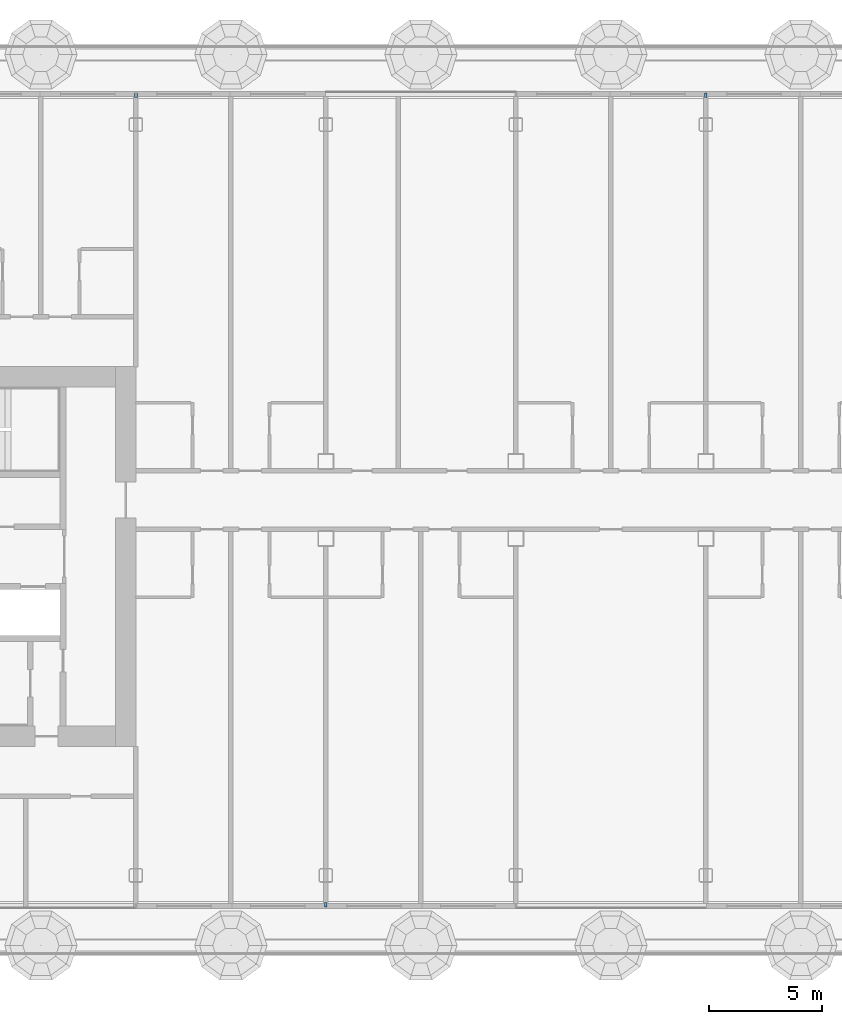
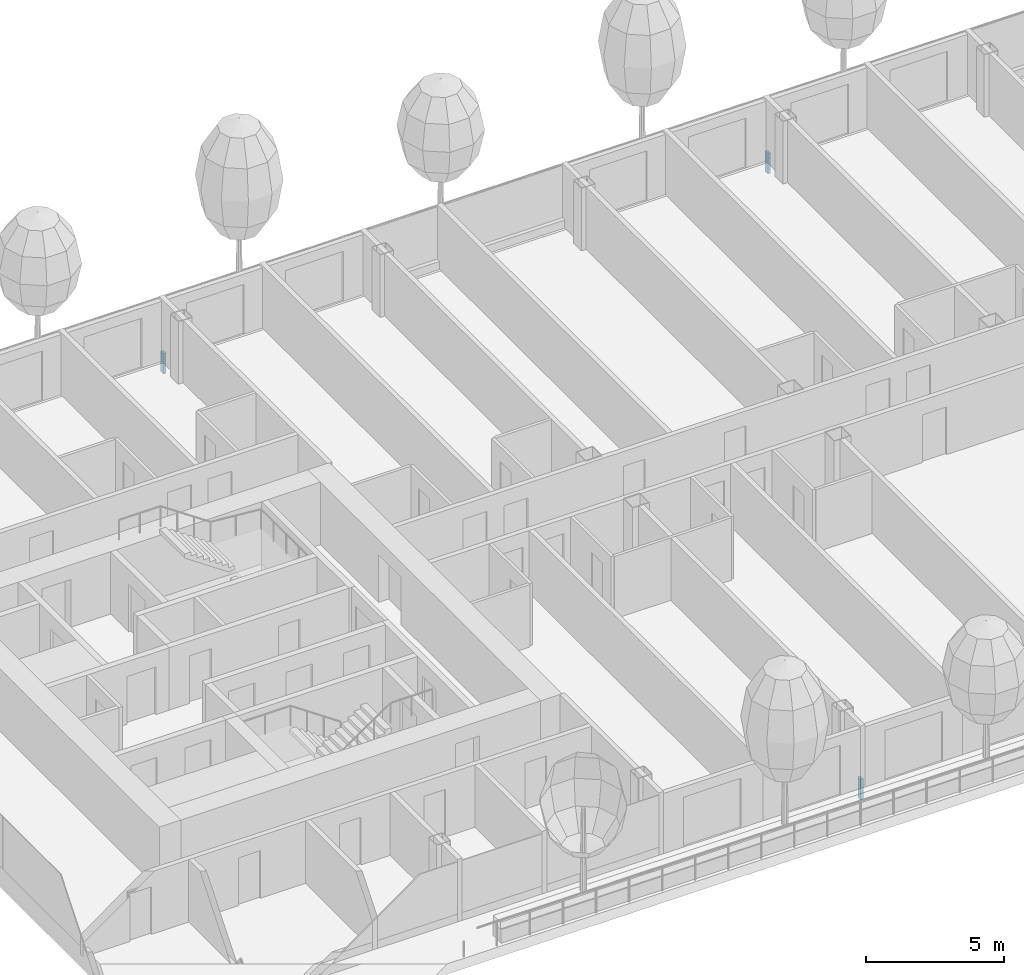
# One storey, part 9 of 29: 3 members, 2 elements without a shape of their own.
"""IFC4 building model written with IfcOpenShell, lengths in metres."""

import ifcopenshell
import ifcopenshell.guid

model = None  # the IFC model being written
_history = None  # IfcOwnerHistory: only IFC2X3 demands one
_inside = {}  # id of a spatial element -> (the spatial element, [elements in it])
_under = {}  # id of a project, library or spatial element -> (it, [spatial elements below it])
_declared = {}  # id of a project -> (the project, [libraries it declares])
_typed = {}  # id of a type object -> (the type object, [elements of that type])
_made_of = {}  # id of a material, layer set ... -> (it, [elements and type objects made of it])


def new_model(schema):
    """Start an empty IFC model of exactly this schema.

    Asked for "IFC4X3", IfcOpenShell would pick the latest addendum, in which some entities
    have other attributes; the version numbers below select the first issue.
    IFC2X3 requires an IfcOwnerHistory on every rooted entity: one is made here for all.
    """
    global model, _history
    if schema == "IFC4X3":
        model = ifcopenshell.file(schema_version=(4, 3, 0, 0))
    else:
        model = ifcopenshell.file(schema=schema)
    _inside.clear()
    _under.clear()
    _declared.clear()
    _typed.clear()
    _made_of.clear()
    _history = None
    if model.schema == "IFC2X3":
        org = make("IfcOrganization", Name="unknown")
        user = make(
            "IfcPersonAndOrganization",
            ThePerson=make("IfcPerson", FamilyName="unknown"),
            TheOrganization=org,
        )
        app = make(
            "IfcApplication",
            ApplicationDeveloper=org,
            Version="unknown",
            ApplicationFullName="unknown",
            ApplicationIdentifier="unknown",
        )
        _history = make(
            "IfcOwnerHistory",
            OwningUser=user,
            OwningApplication=app,
            ChangeAction="ADDED",
            CreationDate=0,
        )
    return model


def make(cls, **values):
    """One entity of the class cls with the attributes given. An attribute that is None is left unset."""
    return model.create_entity(
        cls, **{name: value for name, value in values.items() if value is not None}
    )


def rooted(cls, **values):
    """An entity with a GlobalId (a new one), such as an element, a storey or a relation."""
    return make(cls, GlobalId=ifcopenshell.guid.new(), OwnerHistory=_history, **values)


def si_unit(unit_type, name, prefix=None):
    """IfcSIUnit, for example si_unit("LENGTHUNIT", "METRE", prefix="MILLI")."""
    return make("IfcSIUnit", UnitType=unit_type, Prefix=prefix, Name=name)


def assignment(units):
    """IfcUnitAssignment: the units of a project."""
    return None if units is None else make("IfcUnitAssignment", Units=units)


def point(xyz):
    """IfcCartesianPoint."""
    return None if xyz is None else make("IfcCartesianPoint", Coordinates=xyz)


def direction(xyz):
    """IfcDirection."""
    return None if xyz is None else make("IfcDirection", DirectionRatios=xyz)


def frame(location, z_axis=None, x_axis=None):
    """IfcAxis2Placement3D, a coordinate frame: its origin and axes. An axis left out is left unset."""
    return make(
        "IfcAxis2Placement3D",
        Location=point(location),
        Axis=direction(z_axis),
        RefDirection=direction(x_axis),
    )


def frame_2d(location, x_axis=None):
    """IfcAxis2Placement2D, a coordinate frame in the plane: its origin and x axis."""
    return make(
        "IfcAxis2Placement2D", Location=point(location), RefDirection=direction(x_axis)
    )


def origin():
    """The frame at (0, 0, 0) with its axes left unset."""
    return frame((0.0, 0.0, 0.0))


def origin_2d():
    """The frame at (0, 0) in the plane with its x axis left unset."""
    return frame_2d((0.0, 0.0))


def place(relative_to, where):
    """IfcLocalPlacement: puts the frame where relative to a parent placement (None: the world)."""
    return make(
        "IfcLocalPlacement", PlacementRelTo=relative_to, RelativePlacement=where
    )


def context(
    kind, dimensions, precision=None, world=None, true_north=None, identifier=None
):
    """IfcGeometricRepresentationContext, for example the 3D "Model" context."""
    return make(
        "IfcGeometricRepresentationContext",
        ContextIdentifier=identifier,
        ContextType=kind,
        CoordinateSpaceDimension=dimensions,
        Precision=precision,
        WorldCoordinateSystem=world,
        TrueNorth=true_north,
    )


def subcontext(parent, identifier, kind, view, scale=None):
    """IfcGeometricRepresentationSubContext, for example "Body" below "Model"."""
    return make(
        "IfcGeometricRepresentationSubContext",
        ContextIdentifier=identifier,
        ContextType=kind,
        ParentContext=parent,
        TargetScale=scale,
        TargetView=view,
    )


def project(units=None, contexts=None):
    """IfcProject with its units and contexts."""
    return rooted(
        "IfcProject",
        Name="project",
        RepresentationContexts=contexts,
        UnitsInContext=assignment(units),
    )


def spatial(cls, under=None, at=None, **own):
    """A site, building, storey or space (cls), placed at a placement, below another one or the project."""
    s = rooted(cls, ObjectPlacement=at, **own)
    if under is not None:
        _under.setdefault(under.id(), (under, []))[1].append(s)
    return s


def profile(cls, at=None, kind="AREA", **sizes):
    """A parametric profile (cls). Its sizes go by their IFC names, for example OverallWidth=200.0."""
    return make(cls, ProfileType=kind, Position=at, **sizes)


def rectangle(**sizes):
    """IfcRectangleProfileDef."""
    return profile("IfcRectangleProfileDef", **sizes)


def extrude(swept, where, along, depth):
    """IfcExtrudedAreaSolid: the profile swept, set in the frame where, extruded along a direction by depth."""
    return make(
        "IfcExtrudedAreaSolid",
        SweptArea=swept,
        Position=where,
        ExtrudedDirection=direction(along),
        Depth=depth,
    )


def shape(context_of_items, identifier, shape_type, items):
    """IfcShapeRepresentation: the items that make up one representation, for example the "Body"."""
    return make(
        "IfcShapeRepresentation",
        ContextOfItems=context_of_items,
        RepresentationIdentifier=identifier,
        RepresentationType=shape_type,
        Items=items,
    )


def material(Name=None, Category=None):
    """IfcMaterial."""
    return make("IfcMaterial", Name=Name, Category=Category)


def layer(
    of_material, thickness, ventilated=None, Name=None, Category=None, Priority=None
):
    """IfcMaterialLayer: one layer of a wall or slab, of a material (None: an air gap)."""
    return make(
        "IfcMaterialLayer",
        Material=of_material,
        LayerThickness=thickness,
        IsVentilated=ventilated,
        Name=Name,
        Category=Category,
        Priority=Priority,
    )


def layer_set(layers, Name=None):
    """IfcMaterialLayerSet."""
    return make("IfcMaterialLayerSet", MaterialLayers=layers, LayerSetName=Name)


def material_profile(
    of_material, cross_section, Name=None, Category=None, Priority=None
):
    """IfcMaterialProfile: a cross section and its material."""
    return make(
        "IfcMaterialProfile",
        Name=Name,
        Material=of_material,
        Profile=cross_section,
        Priority=Priority,
        Category=Category,
    )


def profile_set(profiles, Name=None, composite=None):
    """IfcMaterialProfileSet."""
    return make(
        "IfcMaterialProfileSet",
        Name=Name,
        MaterialProfiles=profiles,
        CompositeProfile=composite,
    )


def made_of(thing, what):
    """Note that an element or type object is made of a material, layer set ...; save() writes the relation."""
    if what is not None:
        _made_of.setdefault(what.id(), (what, []))[1].append(thing)
    return thing


def type_object(cls, material=None, **own):
    """A type object (cls), such as IfcWallType, which elements share."""
    return made_of(rooted(cls, **own), material)


def element(
    cls,
    number,
    at=None,
    inside=None,
    cuts=None,
    type_object=None,
    material=None,
    context=None,
    identifier="Body",
    shape_type=None,
    held_by="IfcProductDefinitionShape",
    body=None,
    shapes=None,
    **own,
):
    """One element of the class cls, such as IfcWall. Its Tag is "e" and its number.

    at: its placement. inside: the storey or other place that contains it. cuts: it is an
    opening in that element (IfcRelVoidsElement). A single representation is given by context,
    identifier, shape_type and body (its items); several are given by shapes. held_by: the class
    of the entity that holds the representations. save() writes the other relations.
    """
    e = rooted(cls, Tag="e%d" % number, ObjectPlacement=at, **own)
    if body is not None:
        shapes = [shape(context, identifier, shape_type, body)]
    if shapes is not None:
        e.Representation = make(held_by, Representations=shapes)
    if inside is not None:
        _inside.setdefault(inside.id(), (inside, []))[1].append(e)
    if cuts is not None:
        rooted(
            "IfcRelVoidsElement", RelatingBuildingElement=cuts, RelatedOpeningElement=e
        )
    if type_object is not None:
        _typed.setdefault(type_object.id(), (type_object, []))[1].append(e)
    return made_of(e, material)


def aggregate(whole, parts):
    """IfcRelAggregates: a whole, such as a stair, and the parts it consists of."""
    return rooted("IfcRelAggregates", RelatingObject=whole, RelatedObjects=parts)


def save(model, path):
    """Write the relations noted so far, then the file.

    IfcRelAggregates (storeys below a building ...), IfcRelContainedInSpatialStructure (elements
    in a storey), IfcRelDefinesByType, IfcRelAssociatesMaterial and IfcRelDeclares: one each for
    every whole, place, type object, material and project.
    """
    for whole, parts in _under.values():
        aggregate(whole, parts)
    for where, things in _inside.values():
        rooted(
            "IfcRelContainedInSpatialStructure",
            RelatedElements=things,
            RelatingStructure=where,
        )
    for kind, things in _typed.values():
        rooted("IfcRelDefinesByType", RelatedObjects=things, RelatingType=kind)
    for what, things in _made_of.values():
        rooted("IfcRelAssociatesMaterial", RelatedObjects=things, RelatingMaterial=what)
    for by, libraries in _declared.values():
        rooted("IfcRelDeclares", RelatingContext=by, RelatedDefinitions=libraries)
    model.write(path)


model = new_model("IFC4")

# Units and contexts
model_context = context("Model", 3, precision=1e-05, world=origin(), true_north=direction((0.0, 1.0)))
body_context = subcontext(model_context, "Body", "Model", "MODEL_VIEW")
ifc_project = project(units=[si_unit("LENGTHUNIT", "METRE"), si_unit("AREAUNIT", "SQUARE_METRE"), si_unit("VOLUMEUNIT", "CUBIC_METRE"), si_unit("PLANEANGLEUNIT", "RADIAN"), si_unit("MASSUNIT", "GRAM", prefix="KILO")], contexts=[model_context])

# Site, building, storey
site_placement = place(None, origin())
site = spatial("IfcSite", under=ifc_project, at=site_placement, CompositionType="ELEMENT")
building_placement = place(site_placement, origin())
building = spatial("IfcBuilding", under=site, at=building_placement, Name="Hakoniwa Tower and Hamabe Station Hall", CompositionType="ELEMENT")
storey_placement = place(building_placement, frame((0.0, 0.0, 205.800048828125)))
storey = spatial("IfcBuildingStorey", under=building, at=storey_placement, Name="L58", CompositionType="ELEMENT", Elevation=205.800048828125)

# Curtain wall, members
ifc_material_1 = material(Name="Dark low-e laminated glass", Category="glass")
ifc_layer = layer(ifc_material_1, 0.199951171875)
ifc_layer_set = layer_set([ifc_layer], Name="CW-1 UNITISED GUEST")
curtain_wall_type = type_object("IfcCurtainWallType", Name="CW-1 UNITISED GUEST", PredefinedType="NOTDEFINED", material=ifc_layer_set)
curtain_wall_1_placement = place(storey_placement, origin())
curtain_wall_1 = element("IfcCurtainWall", 1, at=curtain_wall_1_placement, inside=storey, type_object=curtain_wall_type, Name="CW-1 curtain wall", PredefinedType="NOTDEFINED")
ifc_material_2 = material(Name="Aluminium 6063-T5 black anodised", Category="aluminium")
ifc_material_profile = material_profile(ifc_material_2, rectangle(XDim=0.199951171875, YDim=0.89990234375, at=origin_2d()), Name="CW SLAB-EDGE BAND 900X200")
ifc_profile_set = profile_set([ifc_material_profile], Name="Aluminium 6063-T5 black anodised")
member_type = type_object("IfcMemberType", Name="CW SLAB-EDGE BAND 900X200", PredefinedType="USERDEFINED", material=ifc_profile_set)
member_1_placement = place(storey_placement, frame((8.4599609375, 20.39990234375, -0.10009765625), z_axis=(-1.0, 0.0, 0.0), x_axis=(0.0, -1.0, 0.0)))
member_1 = element("IfcMember", 2, at=member_1_placement, type_object=member_type, Name="CW-1 transom", ObjectType="TRANSOM", PredefinedType="USERDEFINED", context=body_context, shape_type="SweptSolid", body=[
    extrude(rectangle(XDim=0.199951171875, YDim=0.89990234375, at=origin_2d()), origin(), (0.0, 0.0, 1.0), 0.119873046875),
])
member_2_placement = place(storey_placement, frame((-16.739990234375, 20.39990234375, -0.10009765625), z_axis=(-1.0, 0.0, 0.0), x_axis=(0.0, -1.0, 0.0)))
member_2 = element("IfcMember", 3, at=member_2_placement, type_object=member_type, Name="CW-1 transom", ObjectType="TRANSOM", PredefinedType="USERDEFINED", context=body_context, shape_type="SweptSolid", body=[
    extrude(rectangle(XDim=0.199951171875, YDim=0.89990234375, at=origin_2d()), origin(), (0.0, 0.0, 1.0), 0.1201171875),
])
aggregate(curtain_wall_1, [member_1, member_2])

# Curtain wall, member
curtain_wall_2_placement = place(storey_placement, origin())
curtain_wall_2 = element("IfcCurtainWall", 4, at=curtain_wall_2_placement, inside=storey, type_object=curtain_wall_type, Name="CW-1 curtain wall", PredefinedType="NOTDEFINED")
member_3_placement = place(storey_placement, frame((-8.4599609375, -15.39990234375, -0.10009765625), z_axis=(1.0, 0.0, 0.0), x_axis=(0.0, 1.0, 0.0)))
member_3 = element("IfcMember", 5, at=member_3_placement, type_object=member_type, Name="CW-1 transom", ObjectType="TRANSOM", PredefinedType="USERDEFINED", context=body_context, shape_type="SweptSolid", body=[
    extrude(rectangle(XDim=0.199951171875, YDim=0.89990234375, at=origin_2d()), origin(), (0.0, 0.0, 1.0), 0.119873046875),
])
aggregate(curtain_wall_2, [member_3])

save(model, "model.ifc")
